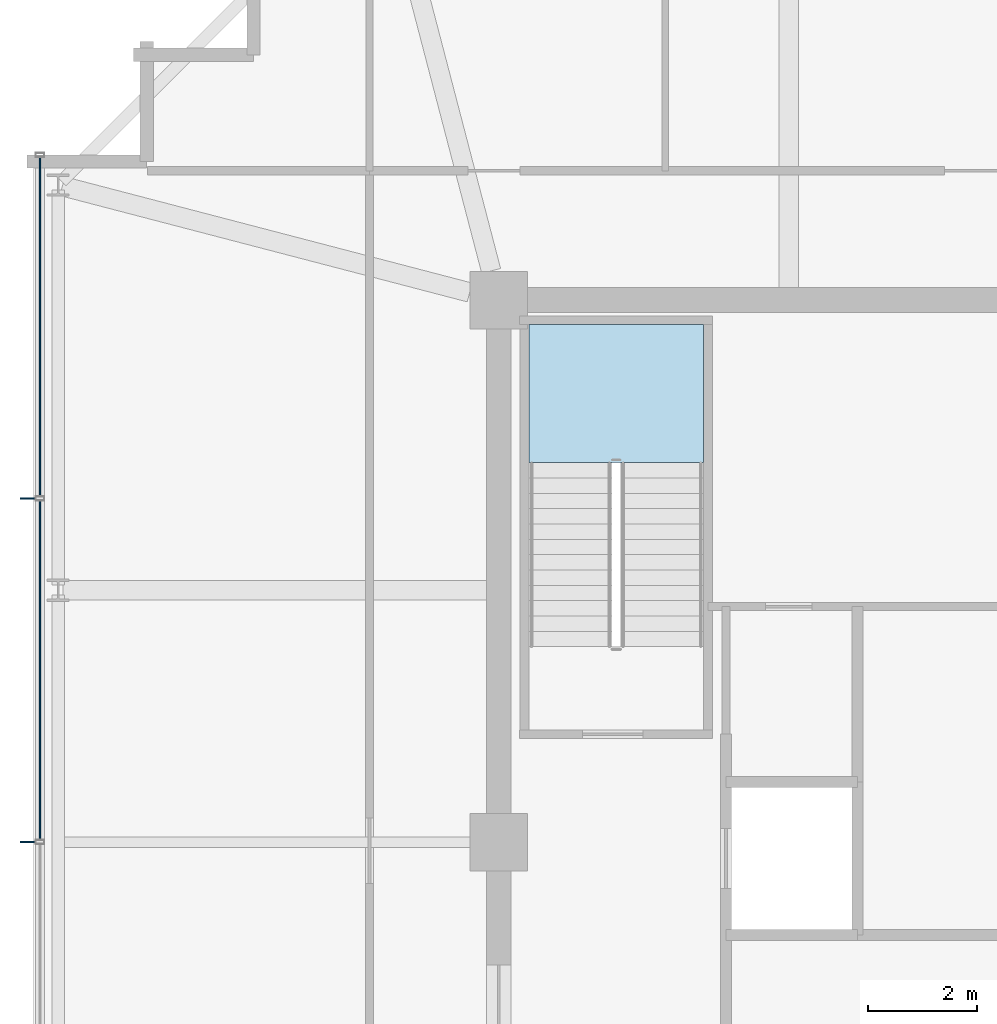
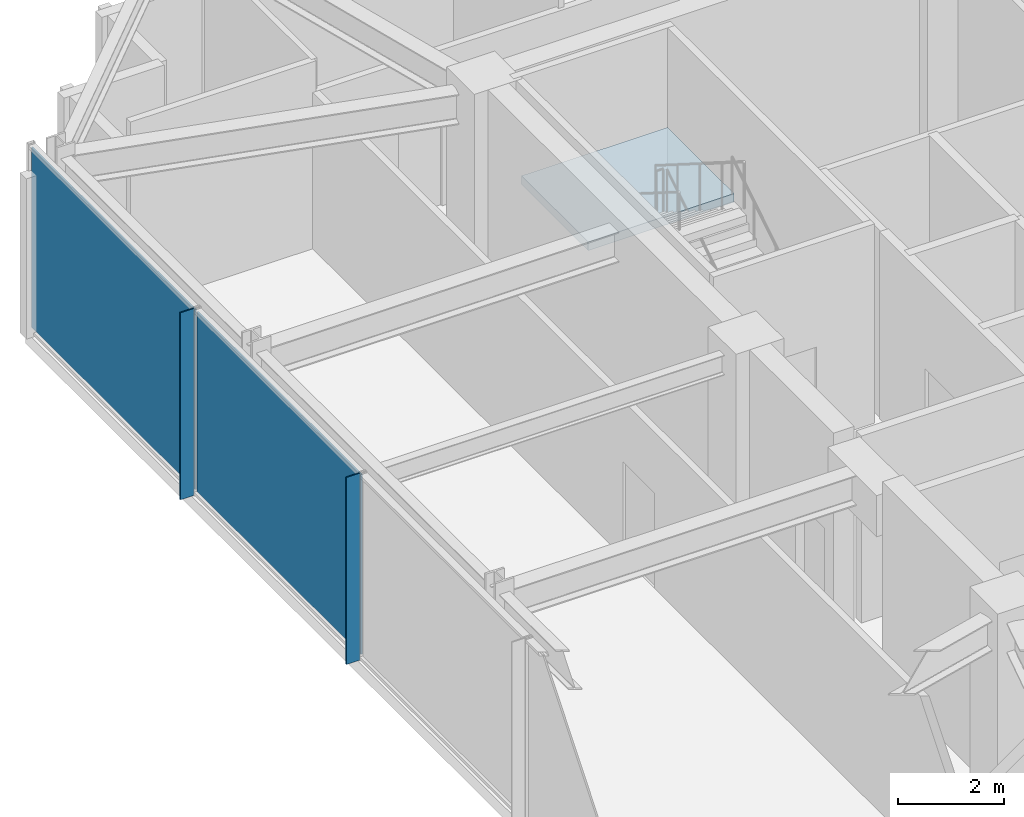
# One storey, part 23 of 30: 4 plates, 1 slab, 2 elements without a shape of their own.
"""IFC4 building model written with IfcOpenShell, lengths in metres."""

import ifcopenshell
import ifcopenshell.guid

model = None  # the IFC model being written
_history = None  # IfcOwnerHistory: only IFC2X3 demands one
_inside = {}  # id of a spatial element -> (the spatial element, [elements in it])
_under = {}  # id of a project, library or spatial element -> (it, [spatial elements below it])
_declared = {}  # id of a project -> (the project, [libraries it declares])
_typed = {}  # id of a type object -> (the type object, [elements of that type])
_made_of = {}  # id of a material, layer set ... -> (it, [elements and type objects made of it])


def new_model(schema):
    """Start an empty IFC model of exactly this schema.

    Asked for "IFC4X3", IfcOpenShell would pick the latest addendum, in which some entities
    have other attributes; the version numbers below select the first issue.
    IFC2X3 requires an IfcOwnerHistory on every rooted entity: one is made here for all.
    """
    global model, _history
    if schema == "IFC4X3":
        model = ifcopenshell.file(schema_version=(4, 3, 0, 0))
    else:
        model = ifcopenshell.file(schema=schema)
    _inside.clear()
    _under.clear()
    _declared.clear()
    _typed.clear()
    _made_of.clear()
    _history = None
    if model.schema == "IFC2X3":
        org = make("IfcOrganization", Name="unknown")
        user = make(
            "IfcPersonAndOrganization",
            ThePerson=make("IfcPerson", FamilyName="unknown"),
            TheOrganization=org,
        )
        app = make(
            "IfcApplication",
            ApplicationDeveloper=org,
            Version="unknown",
            ApplicationFullName="unknown",
            ApplicationIdentifier="unknown",
        )
        _history = make(
            "IfcOwnerHistory",
            OwningUser=user,
            OwningApplication=app,
            ChangeAction="ADDED",
            CreationDate=0,
        )
    return model


def make(cls, **values):
    """One entity of the class cls with the attributes given. An attribute that is None is left unset."""
    return model.create_entity(
        cls, **{name: value for name, value in values.items() if value is not None}
    )


def rooted(cls, **values):
    """An entity with a GlobalId (a new one), such as an element, a storey or a relation."""
    return make(cls, GlobalId=ifcopenshell.guid.new(), OwnerHistory=_history, **values)


def si_unit(unit_type, name, prefix=None):
    """IfcSIUnit, for example si_unit("LENGTHUNIT", "METRE", prefix="MILLI")."""
    return make("IfcSIUnit", UnitType=unit_type, Prefix=prefix, Name=name)


def assignment(units):
    """IfcUnitAssignment: the units of a project."""
    return None if units is None else make("IfcUnitAssignment", Units=units)


def point(xyz):
    """IfcCartesianPoint."""
    return None if xyz is None else make("IfcCartesianPoint", Coordinates=xyz)


def direction(xyz):
    """IfcDirection."""
    return None if xyz is None else make("IfcDirection", DirectionRatios=xyz)


def frame(location, z_axis=None, x_axis=None):
    """IfcAxis2Placement3D, a coordinate frame: its origin and axes. An axis left out is left unset."""
    return make(
        "IfcAxis2Placement3D",
        Location=point(location),
        Axis=direction(z_axis),
        RefDirection=direction(x_axis),
    )


def frame_2d(location, x_axis=None):
    """IfcAxis2Placement2D, a coordinate frame in the plane: its origin and x axis."""
    return make(
        "IfcAxis2Placement2D", Location=point(location), RefDirection=direction(x_axis)
    )


def origin():
    """The frame at (0, 0, 0) with its axes left unset."""
    return frame((0.0, 0.0, 0.0))


def origin_2d():
    """The frame at (0, 0) in the plane with its x axis left unset."""
    return frame_2d((0.0, 0.0))


def place(relative_to, where):
    """IfcLocalPlacement: puts the frame where relative to a parent placement (None: the world)."""
    return make(
        "IfcLocalPlacement", PlacementRelTo=relative_to, RelativePlacement=where
    )


def context(
    kind, dimensions, precision=None, world=None, true_north=None, identifier=None
):
    """IfcGeometricRepresentationContext, for example the 3D "Model" context."""
    return make(
        "IfcGeometricRepresentationContext",
        ContextIdentifier=identifier,
        ContextType=kind,
        CoordinateSpaceDimension=dimensions,
        Precision=precision,
        WorldCoordinateSystem=world,
        TrueNorth=true_north,
    )


def subcontext(parent, identifier, kind, view, scale=None):
    """IfcGeometricRepresentationSubContext, for example "Body" below "Model"."""
    return make(
        "IfcGeometricRepresentationSubContext",
        ContextIdentifier=identifier,
        ContextType=kind,
        ParentContext=parent,
        TargetScale=scale,
        TargetView=view,
    )


def project(units=None, contexts=None):
    """IfcProject with its units and contexts."""
    return rooted(
        "IfcProject",
        Name="project",
        RepresentationContexts=contexts,
        UnitsInContext=assignment(units),
    )


def spatial(cls, under=None, at=None, **own):
    """A site, building, storey or space (cls), placed at a placement, below another one or the project."""
    s = rooted(cls, ObjectPlacement=at, **own)
    if under is not None:
        _under.setdefault(under.id(), (under, []))[1].append(s)
    return s


def polyline(points):
    """IfcPolyline through the points."""
    return make("IfcPolyline", Points=[point(p) for p in points])


def profile(cls, at=None, kind="AREA", **sizes):
    """A parametric profile (cls). Its sizes go by their IFC names, for example OverallWidth=200.0."""
    return make(cls, ProfileType=kind, Position=at, **sizes)


def rectangle(**sizes):
    """IfcRectangleProfileDef."""
    return profile("IfcRectangleProfileDef", **sizes)


def outline(outer, holes=None, kind="AREA"):
    """IfcArbitraryClosedProfileDef: a profile drawn as a closed curve; with holes, ...WithVoids."""
    if holes is None:
        return make("IfcArbitraryClosedProfileDef", ProfileType=kind, OuterCurve=outer)
    return make(
        "IfcArbitraryProfileDefWithVoids",
        ProfileType=kind,
        OuterCurve=outer,
        InnerCurves=holes,
    )


def extrude(swept, where, along, depth):
    """IfcExtrudedAreaSolid: the profile swept, set in the frame where, extruded along a direction by depth."""
    return make(
        "IfcExtrudedAreaSolid",
        SweptArea=swept,
        Position=where,
        ExtrudedDirection=direction(along),
        Depth=depth,
    )


def shape(context_of_items, identifier, shape_type, items):
    """IfcShapeRepresentation: the items that make up one representation, for example the "Body"."""
    return make(
        "IfcShapeRepresentation",
        ContextOfItems=context_of_items,
        RepresentationIdentifier=identifier,
        RepresentationType=shape_type,
        Items=items,
    )


def material(Name=None, Category=None):
    """IfcMaterial."""
    return make("IfcMaterial", Name=Name, Category=Category)


def layer(
    of_material, thickness, ventilated=None, Name=None, Category=None, Priority=None
):
    """IfcMaterialLayer: one layer of a wall or slab, of a material (None: an air gap)."""
    return make(
        "IfcMaterialLayer",
        Material=of_material,
        LayerThickness=thickness,
        IsVentilated=ventilated,
        Name=Name,
        Category=Category,
        Priority=Priority,
    )


def layer_set(layers, Name=None):
    """IfcMaterialLayerSet."""
    return make("IfcMaterialLayerSet", MaterialLayers=layers, LayerSetName=Name)


def made_of(thing, what):
    """Note that an element or type object is made of a material, layer set ...; save() writes the relation."""
    if what is not None:
        _made_of.setdefault(what.id(), (what, []))[1].append(thing)
    return thing


def type_object(cls, material=None, **own):
    """A type object (cls), such as IfcWallType, which elements share."""
    return made_of(rooted(cls, **own), material)


def element(
    cls,
    number,
    at=None,
    inside=None,
    cuts=None,
    type_object=None,
    material=None,
    context=None,
    identifier="Body",
    shape_type=None,
    held_by="IfcProductDefinitionShape",
    body=None,
    shapes=None,
    **own,
):
    """One element of the class cls, such as IfcWall. Its Tag is "e" and its number.

    at: its placement. inside: the storey or other place that contains it. cuts: it is an
    opening in that element (IfcRelVoidsElement). A single representation is given by context,
    identifier, shape_type and body (its items); several are given by shapes. held_by: the class
    of the entity that holds the representations. save() writes the other relations.
    """
    e = rooted(cls, Tag="e%d" % number, ObjectPlacement=at, **own)
    if body is not None:
        shapes = [shape(context, identifier, shape_type, body)]
    if shapes is not None:
        e.Representation = make(held_by, Representations=shapes)
    if inside is not None:
        _inside.setdefault(inside.id(), (inside, []))[1].append(e)
    if cuts is not None:
        rooted(
            "IfcRelVoidsElement", RelatingBuildingElement=cuts, RelatedOpeningElement=e
        )
    if type_object is not None:
        _typed.setdefault(type_object.id(), (type_object, []))[1].append(e)
    return made_of(e, material)


def aggregate(whole, parts):
    """IfcRelAggregates: a whole, such as a stair, and the parts it consists of."""
    return rooted("IfcRelAggregates", RelatingObject=whole, RelatedObjects=parts)


def save(model, path):
    """Write the relations noted so far, then the file.

    IfcRelAggregates (storeys below a building ...), IfcRelContainedInSpatialStructure (elements
    in a storey), IfcRelDefinesByType, IfcRelAssociatesMaterial and IfcRelDeclares: one each for
    every whole, place, type object, material and project.
    """
    for whole, parts in _under.values():
        aggregate(whole, parts)
    for where, things in _inside.values():
        rooted(
            "IfcRelContainedInSpatialStructure",
            RelatedElements=things,
            RelatingStructure=where,
        )
    for kind, things in _typed.values():
        rooted("IfcRelDefinesByType", RelatedObjects=things, RelatingType=kind)
    for what, things in _made_of.values():
        rooted("IfcRelAssociatesMaterial", RelatedObjects=things, RelatingMaterial=what)
    for by, libraries in _declared.values():
        rooted("IfcRelDeclares", RelatingContext=by, RelatedDefinitions=libraries)
    model.write(path)


model = new_model("IFC4")

# Units and contexts
model_context = context("Model", 3, precision=1e-05, world=origin(), true_north=direction((0.0, 1.0)))
body_context = subcontext(model_context, "Body", "Model", "MODEL_VIEW")
ifc_project = project(units=[si_unit("LENGTHUNIT", "METRE"), si_unit("AREAUNIT", "SQUARE_METRE"), si_unit("VOLUMEUNIT", "CUBIC_METRE"), si_unit("PLANEANGLEUNIT", "RADIAN"), si_unit("MASSUNIT", "GRAM", prefix="KILO")], contexts=[model_context])

# Site, building, storey
site_placement = place(None, origin())
site = spatial("IfcSite", under=ifc_project, at=site_placement, CompositionType="ELEMENT")
building_placement = place(site_placement, origin())
building = spatial("IfcBuilding", under=site, at=building_placement, Name="Kolvaren Belvedere", CompositionType="ELEMENT")
storey_placement = place(building_placement, frame((0.0, 0.0, 262.800048828125)))
storey = spatial("IfcBuildingStorey", under=building, at=storey_placement, Name="L76", CompositionType="ELEMENT", Elevation=262.800048828125)

# Curtain wall, plates
ifc_material_1 = material(Name="Anodised pale-metal aluminium AA 6063-T6", Category="aluminium")
curtain_wall_type = type_object("IfcCurtainWallType", Name="CW-CRN-OBS", PredefinedType="NOTDEFINED", material=ifc_material_1)
curtain_wall_placement = place(storey_placement, origin())
curtain_wall = element("IfcCurtainWall", 1, at=curtain_wall_placement, inside=storey, type_object=curtain_wall_type, Name="L76 Unitised Curtain Wall FCW-L76-W", PredefinedType="NOTDEFINED")
ifc_material_2 = material(Name="Low-iron laminated vision glass", Category="glass")
ifc_layer_1 = layer(ifc_material_2, 0.031982421875)
ifc_layer_set_1 = layer_set([ifc_layer_1], Name="Low-iron laminated vision glass")
plate_type_1 = type_object("IfcPlateType", Name="CW-PNL-VIS32", PredefinedType="CURTAIN_PANEL", material=ifc_layer_set_1)
plate_1_placement = place(storey_placement, frame((-18.280029296875, 3.137451171875, 0.080078125), z_axis=(0.0, 0.0, 1.0), x_axis=(0.0, 1.0, 0.0)))
plate_1 = element("IfcPlate", 2, at=plate_1_placement, type_object=plate_type_1, Name="FCW-L76-W Vision Glazing Panel 3", PredefinedType="CURTAIN_PANEL", context=body_context, shape_type="SweptSolid", body=[
    extrude(rectangle(XDim=6.195068359375, YDim=0.031982421875, at=origin_2d()), origin(), (0.0, 0.0, 1.0), 4.159912109375),
])
plate_2_placement = place(storey_placement, frame((-18.280029296875, 9.41259765625, 0.080078125), z_axis=(0.0, 0.0, 1.0), x_axis=(0.0, 1.0, 0.0)))
plate_2 = element("IfcPlate", 3, at=plate_2_placement, type_object=plate_type_1, Name="FCW-L76-W Vision Glazing Panel 4", PredefinedType="CURTAIN_PANEL", context=body_context, shape_type="SweptSolid", body=[
    extrude(rectangle(XDim=6.195068359375, YDim=0.031982421875, at=origin_2d()), origin(), (0.0, 0.0, 1.0), 4.159912109375),
])
aggregate(curtain_wall, [plate_1, plate_2])

# Plates
ifc_material_3 = material(Name="Anodised pale-metal aluminium AA 6063-T6", Category="aluminium")
ifc_layer_2 = layer(ifc_material_3, 0.030029296875)
ifc_layer_set_2 = layer_set([ifc_layer_2], Name="Anodised pale-metal aluminium AA 6063-T6")
plate_type_2 = type_object("IfcPlateType", Name="FIN-VERT-300", PredefinedType="USERDEFINED", material=ifc_layer_set_2)
for number, where, z_axis, x_axis, name in (
    (4, (-18.4951171875, 0.0, 0.0), (0.0, 0.0, 1.0), (1.0, 0.0, 0.0), "L76 Pale-Metal Vertical Shading Fin FCW-L76-W-2"),
    (5, (-18.4951171875, 6.27490234375, 0.0), (0.0, 0.0, 1.0), (1.0, 0.0, 0.0), "L76 Pale-Metal Vertical Shading Fin FCW-L76-W-3"),
):
    element("IfcPlate", number, at=place(storey_placement, frame(where, z_axis=z_axis, x_axis=x_axis)), inside=storey, type_object=plate_type_2, Name=name, ObjectType="VERTICAL FIN", PredefinedType="USERDEFINED", context=body_context, shape_type="SweptSolid", body=[
        extrude(rectangle(XDim=0.300048828125, YDim=0.030029296875, at=origin_2d()), origin(), (0.0, 0.0, 1.0), 4.320068359375),
    ])

# Stair, slab
ifc_material_4 = material(Name="Concrete C50/60", Category="concrete")
stair_type = type_object("IfcStairType", Name="ST-CORE-1520", PredefinedType="HALF_TURN_STAIR", material=ifc_material_4)
stair_placement = place(storey_placement, origin())
stair = element("IfcStair", 6, at=stair_placement, inside=storey, type_object=stair_type, Name="L76 Protected Exit Stair ST-1", PredefinedType="HALF_TURN_STAIR")
ifc_material_5 = material(Name="Concrete C50/60", Category="concrete")
ifc_layer_3 = layer(ifc_material_5, 0.260009765625)
ifc_layer_set_3 = layer_set([ifc_layer_3], Name="Concrete C50/60")
slab_type = type_object("IfcSlabType", Name="SL-LAND-260", PredefinedType="LANDING", material=ifc_layer_set_3)
slab_placement = place(storey_placement, frame((0.0, 0.0, 2.099853515625)))
slab = element("IfcSlab", 7, at=slab_placement, type_object=slab_type, Name="ST-1 landing 1", PredefinedType="LANDING", context=body_context, shape_type="SweptSolid", body=[
    extrude(outline(polyline([(-6.159912109375, 6.929931640625), (-6.159912109375, 9.449951171875), (-9.35009765625, 9.449951171875), (-9.35009765625, 6.929931640625), (-6.159912109375, 6.929931640625)])), origin(), (0.0, 0.0, 1.0), 0.2001953125),
])
aggregate(stair, [slab])

save(model, "model.ifc")
